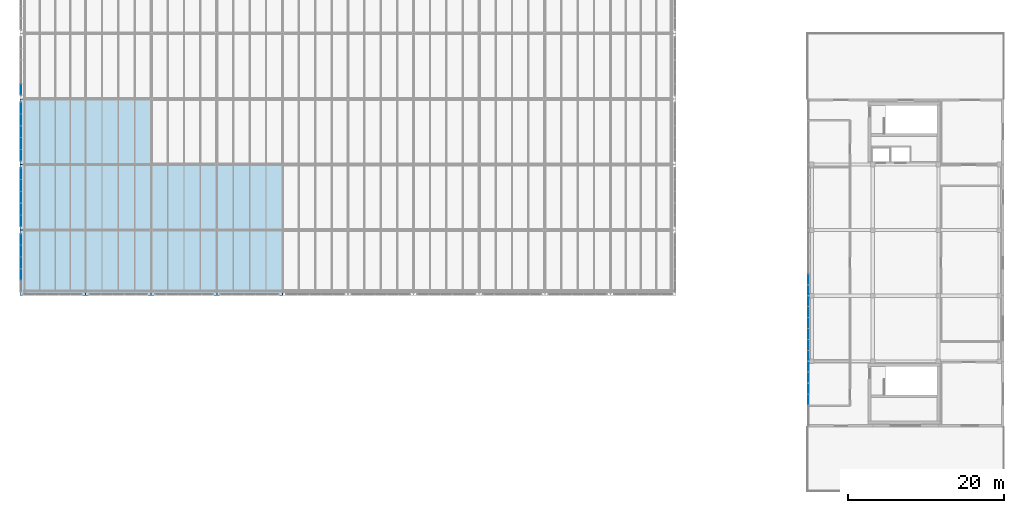
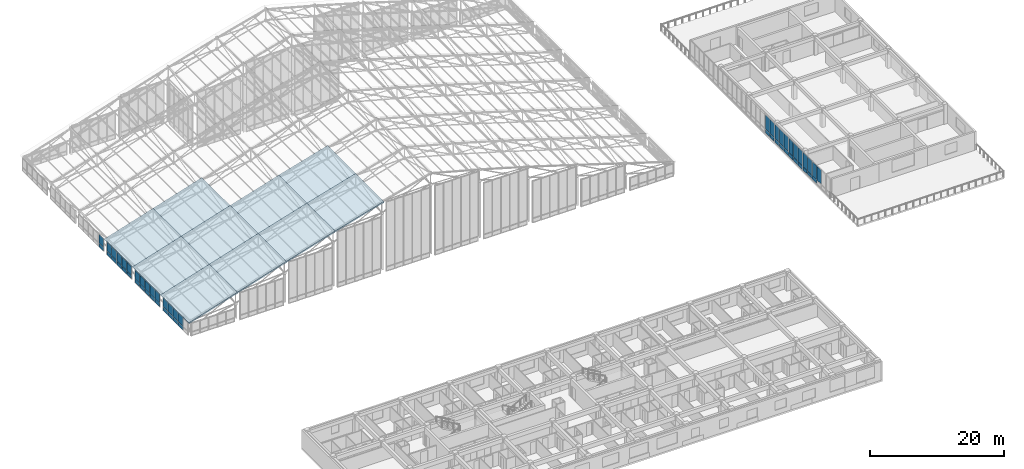
# One storey, part 107 of 144: 53 plates, 10 slabs, 7 elements without a shape of their own.
"""IFC4 building model written with IfcOpenShell, lengths in metres."""

from ifc_helpers import new_model, si_unit, direction, frame, origin, origin_2d, place, context, subcontext, project, spatial, polyline, rectangle, outline, extrude, material, layer, layer_set, type_object, element, aggregate, save


model = new_model("IFC4")

# Units and contexts
model_context = context("Model", 3, precision=1e-05, world=origin(), true_north=direction((0.0, 1.0)))
body_context = subcontext(model_context, "Body", "Model", "MODEL_VIEW")
ifc_project = project(units=[si_unit("LENGTHUNIT", "METRE"), si_unit("AREAUNIT", "SQUARE_METRE"), si_unit("VOLUMEUNIT", "CUBIC_METRE"), si_unit("PLANEANGLEUNIT", "RADIAN"), si_unit("MASSUNIT", "GRAM", prefix="KILO")], contexts=[model_context])

# Site, building, storey
site_placement = place(None, origin())
site = spatial("IfcSite", under=ifc_project, at=site_placement, CompositionType="ELEMENT")
building_placement = place(site_placement, origin())
building = spatial("IfcBuilding", under=site, at=building_placement, Name="Zayran Congress Hotel", CompositionType="ELEMENT")
storey_placement = place(building_placement, frame((0.0, 0.0, 19.199951171875)))
storey = spatial("IfcBuildingStorey", under=building, at=storey_placement, Name="L04", CompositionType="ELEMENT", Elevation=19.199951171875)

# Slabs
ifc_material_1 = material(Name="Concrete C32/40", Category="concrete")
ifc_layer_1 = layer(ifc_material_1, 0.219970703125)
ifc_layer_set_1 = layer_set([ifc_layer_1], Name="Concrete C32/40")
slab_type = type_object("IfcSlabType", Name="SL-RF-220", PredefinedType="ROOF", material=ifc_layer_set_1)
for number, where, z_axis, x_axis, name in (
    (1, (8.39990234375, 67.60009765625, 2.400146484375), (-0.300844824691, 0.0, 0.953673105134), (0.953673105134, 0.0, 0.300844824691), "V1 Vaulted Roof Facet 1-1"),
    (2, (8.39990234375, 76.0, 2.400146484375), (-0.300844824691, 0.0, 0.953673105134), (0.953673105134, 0.0, 0.300844824691), "V1 Vaulted Roof Facet 1-2"),
):
    element("IfcSlab", number, at=place(storey_placement, frame(where, z_axis=z_axis, x_axis=x_axis)), inside=storey, type_object=slab_type, Name=name, PredefinedType="ROOF", context=body_context, shape_type="SweptSolid", body=[
        extrude(outline(polyline([(0.0, 0.0), (8.808203187391252, 0.0), (8.808203187391252, 8.39990234375), (0.0, 8.39990234375), (0.0, 0.0)])), origin(), (0.0, 0.0, -1.0), 0.219970703125),
    ])
slab_1_placement = place(storey_placement, frame((8.39990234375, 84.39990234375, 2.400146484375), z_axis=(-0.300844824691, 0.0, 0.953673105134), x_axis=(0.953673105134, 0.0, 0.300844824691)))
element("IfcSlab", 3, at=slab_1_placement, inside=storey, type_object=slab_type, Name="V1 Vaulted Roof Facet 1-3", PredefinedType="ROOF", context=body_context, shape_type="SweptSolid", body=[
    extrude(outline(polyline([(0.0, 0.0), (8.808203187391252, 0.0), (8.808203187391252, 8.400146484375002), (0.0, 8.400146484375002), (0.0, 0.0)])), origin(), (0.0, 0.0, -1.0), 0.219970703125),
])
for number, where, z_axis, x_axis, name in (
    (4, (16.800048828125, 67.60009765625, 5.050048828125), (-0.300852777228, 0.0, 0.953670596398), (0.953670596398, 0.0, 0.300852777228), "V1 Vaulted Roof Facet 2-1"),
    (5, (16.800048828125, 76.0, 5.050048828125), (-0.300852777228, 0.0, 0.953670596398), (0.953670596398, 0.0, 0.300852777228), "V1 Vaulted Roof Facet 2-2"),
):
    element("IfcSlab", number, at=place(storey_placement, frame(where, z_axis=z_axis, x_axis=x_axis)), inside=storey, type_object=slab_type, Name=name, PredefinedType="ROOF", context=body_context, shape_type="SweptSolid", body=[
        extrude(outline(polyline([(0.0, 0.0), (8.807970357349557, 0.0), (8.807970357349557, 8.39990234375), (0.0, 8.39990234375), (0.0, 0.0)])), origin(), (0.0, 0.0, -1.0), 0.219970703125),
    ])
slab_2_placement = place(storey_placement, frame((16.800048828125, 84.39990234375, 5.050048828125), z_axis=(-0.300852777228, 0.0, 0.953670596398), x_axis=(0.953670596398, 0.0, 0.300852777228)))
element("IfcSlab", 6, at=slab_2_placement, inside=storey, type_object=slab_type, Name="V1 Vaulted Roof Facet 2-3", PredefinedType="ROOF", context=body_context, shape_type="SweptSolid", body=[
    extrude(outline(polyline([(0.0, 0.0), (8.807970357349557, 0.0), (8.807970357349557, 8.400146484375), (0.0, 8.400146484375), (0.0, 0.0)])), origin(), (0.0, 0.0, -1.0), 0.219970703125),
])
for number, where, z_axis, x_axis, name in (
    (7, (25.199951171875, 67.60009765625, 7.699951171875), (-0.29568915739, 0.0, 0.955284210171), (0.955284210171, 0.0, 0.29568915739), "V1 Vaulted Roof Facet 3-1"),
    (8, (25.199951171875, 76.0, 7.699951171875), (-0.29568915739, 0.0, 0.955284210171), (0.955284210171, 0.0, 0.29568915739), "V1 Vaulted Roof Facet 3-2"),
):
    element("IfcSlab", number, at=place(storey_placement, frame(where, z_axis=z_axis, x_axis=x_axis)), inside=storey, type_object=slab_type, Name=name, PredefinedType="ROOF", context=body_context, shape_type="SweptSolid", body=[
        extrude(outline(polyline([(0.0, 0.0), (8.793347984754979, 0.0), (8.793347984754979, 8.39990234375), (0.0, 8.39990234375), (0.0, 0.0)])), origin(), (0.0, 0.0, -1.0), 0.219970703125),
    ])
for number, where, z_axis, x_axis, name in (
    (9, (33.60009765625, 67.60009765625, 10.300048828125), (-0.279997857116, 0.0, 0.960000625005), (0.960000625005, 0.0, 0.279997857116), "V1 Vaulted Roof Facet 4-1"),
    (10, (33.60009765625, 76.0, 10.300048828125), (-0.279997857116, 0.0, 0.960000625005), (0.960000625005, 0.0, 0.279997857116), "V1 Vaulted Roof Facet 4-2"),
):
    element("IfcSlab", number, at=place(storey_placement, frame(where, z_axis=z_axis, x_axis=x_axis)), inside=storey, type_object=slab_type, Name=name, PredefinedType="ROOF", context=body_context, shape_type="SweptSolid", body=[
        extrude(outline(polyline([(0.0, 0.0), (8.749892578146799, 0.0), (8.749892578146799, 8.399902343750002), (0.0, 8.399902343750002), (0.0, 0.0)])), origin(), (0.0, 0.0, -1.0), 0.219970703125),
    ])

# Curtain wall, plates
ifc_material_2 = material(Name="Anodised aluminium and low-E insulated glass", Category="aluminium")
ifc_layer_2 = layer(ifc_material_2, 0.179931640625)
ifc_layer_set_2 = layer_set([ifc_layer_2], Name="Anodised aluminium and low-E insulated glass")
curtain_wall_type_1 = type_object("IfcCurtainWallType", Name="CW-V4W-L04-CW-51-8395-3360", PredefinedType="USERDEFINED", material=ifc_layer_set_2)
curtain_wall_1_placement = place(storey_placement, origin())
curtain_wall_1 = element("IfcCurtainWall", 11, at=curtain_wall_1_placement, inside=storey, type_object=curtain_wall_type_1, Name="CW-V4W-L04-0", ObjectType="CURTAIN WALL", PredefinedType="USERDEFINED")
ifc_layer_3 = layer(ifc_material_2, 0.028076171875)
ifc_layer_set_3 = layer_set([ifc_layer_3], Name="Anodised aluminium and low-E insulated glass")
plate_type_1 = type_object("IfcPlateType", Name="CWP-GL-1279-2550", PredefinedType="CURTAIN_PANEL", material=ifc_layer_set_3)
plate_1_placement = place(storey_placement, frame((109.35009765625, 58.475341796875, 0.75), z_axis=(0.0, 0.0, 1.0), x_axis=(0.0, 1.0, 0.0)))
plate_1 = element("IfcPlate", 12, at=plate_1_placement, type_object=plate_type_1, Name="CW-51 Glazed Panel 1", PredefinedType="CURTAIN_PANEL", context=body_context, shape_type="SweptSolid", body=[
    extrude(rectangle(XDim=1.279296875, YDim=0.028076171875, at=origin_2d()), origin(), (0.0, 0.0, 1.0), 2.550048828125),
])
plate_2_placement = place(storey_placement, frame((109.35009765625, 57.09619140625, 0.75), z_axis=(0.0, 0.0, 1.0), x_axis=(0.0, 1.0, 0.0)))
plate_2 = element("IfcPlate", 13, at=plate_2_placement, type_object=plate_type_1, Name="CW-51 Glazed Panel 2", PredefinedType="CURTAIN_PANEL", context=body_context, shape_type="SweptSolid", body=[
    extrude(rectangle(XDim=1.319091796875, YDim=0.028076171875, at=origin_2d()), origin(), (0.0, 0.0, 1.0), 2.550048828125),
])
plate_3_placement = place(storey_placement, frame((109.35009765625, 55.697021484375, 0.75), z_axis=(0.0, 0.0, 1.0), x_axis=(0.0, 1.0, 0.0)))
plate_3 = element("IfcPlate", 14, at=plate_3_placement, type_object=plate_type_1, Name="CW-51 Glazed Panel 3", PredefinedType="CURTAIN_PANEL", context=body_context, shape_type="SweptSolid", body=[
    extrude(rectangle(XDim=1.319091796875, YDim=0.028076171875, at=origin_2d()), origin(), (0.0, 0.0, 1.0), 2.550048828125),
])
plate_4_placement = place(storey_placement, frame((109.35009765625, 54.2978515625, 0.75), z_axis=(0.0, 0.0, 1.0), x_axis=(0.0, 1.0, 0.0)))
plate_4 = element("IfcPlate", 15, at=plate_4_placement, type_object=plate_type_1, Name="CW-51 Glazed Panel 4", PredefinedType="CURTAIN_PANEL", context=body_context, shape_type="SweptSolid", body=[
    extrude(rectangle(XDim=1.319091796875, YDim=0.028076171875, at=origin_2d()), origin(), (0.0, 0.0, 1.0), 2.550048828125),
])
ifc_material_3 = material(Name="Insulated warm bronze aluminium spandrel panel", Category="aluminium")
ifc_layer_4 = layer(ifc_material_3, 0.06005859375)
ifc_layer_set_4 = layer_set([ifc_layer_4], Name="Insulated warm bronze aluminium spandrel panel")
plate_type_2 = type_object("IfcPlateType", Name="CWP-SP-1279-630", PredefinedType="CURTAIN_PANEL", material=ifc_layer_set_4)
plate_5_placement = place(storey_placement, frame((109.35009765625, 58.475341796875, 0.06005859375), z_axis=(0.0, 0.0, 1.0), x_axis=(0.0, 1.0, 0.0)))
plate_5 = element("IfcPlate", 16, at=plate_5_placement, type_object=plate_type_2, Name="CW-51 Spandrel Panel 1", PredefinedType="CURTAIN_PANEL", context=body_context, shape_type="SweptSolid", body=[
    extrude(rectangle(XDim=1.279296875, YDim=0.06005859375, at=origin_2d()), origin(), (0.0, 0.0, 1.0), 0.6298828125),
])
plate_6_placement = place(storey_placement, frame((109.35009765625, 57.09619140625, 0.06005859375), z_axis=(0.0, 0.0, 1.0), x_axis=(0.0, 1.0, 0.0)))
plate_6 = element("IfcPlate", 17, at=plate_6_placement, type_object=plate_type_2, Name="CW-51 Spandrel Panel 2", PredefinedType="CURTAIN_PANEL", context=body_context, shape_type="SweptSolid", body=[
    extrude(rectangle(XDim=1.319091796875, YDim=0.06005859375, at=origin_2d()), origin(), (0.0, 0.0, 1.0), 0.6298828125),
])
plate_7_placement = place(storey_placement, frame((109.35009765625, 55.697021484375, 0.06005859375), z_axis=(0.0, 0.0, 1.0), x_axis=(0.0, 1.0, 0.0)))
plate_7 = element("IfcPlate", 18, at=plate_7_placement, type_object=plate_type_2, Name="CW-51 Spandrel Panel 3", PredefinedType="CURTAIN_PANEL", context=body_context, shape_type="SweptSolid", body=[
    extrude(rectangle(XDim=1.319091796875, YDim=0.06005859375, at=origin_2d()), origin(), (0.0, 0.0, 1.0), 0.6298828125),
])
aggregate(curtain_wall_1, [plate_5, plate_1, plate_6, plate_2, plate_7, plate_3, plate_4])

ifc_layer_5 = layer(ifc_material_2, 0.179931640625)
ifc_layer_set_5 = layer_set([ifc_layer_5], Name="Anodised aluminium and low-E insulated glass")
curtain_wall_type_2 = type_object("IfcCurtainWallType", Name="CW-V4W-L04-CW-52-8390-3360", PredefinedType="USERDEFINED", material=ifc_layer_set_5)
curtain_wall_2_placement = place(storey_placement, origin())
curtain_wall_2 = element("IfcCurtainWall", 19, at=curtain_wall_2_placement, inside=storey, type_object=curtain_wall_type_2, Name="CW-V4W-L04-1", ObjectType="CURTAIN WALL", PredefinedType="USERDEFINED")
ifc_layer_6 = layer(ifc_material_2, 0.028076171875)
ifc_layer_set_6 = layer_set([ifc_layer_6], Name="Anodised aluminium and low-E insulated glass")
plate_type_3 = type_object("IfcPlateType", Name="CWP-GL-1278-2550", PredefinedType="CURTAIN_PANEL", material=ifc_layer_set_6)
plate_8_placement = place(storey_placement, frame((109.35009765625, 66.875732421875, 0.75), z_axis=(0.0, 0.0, 1.0), x_axis=(0.0, 1.0, 0.0)))
plate_8 = element("IfcPlate", 20, at=plate_8_placement, type_object=plate_type_3, Name="CW-52 Glazed Panel 1", PredefinedType="CURTAIN_PANEL", context=body_context, shape_type="SweptSolid", body=[
    extrude(rectangle(XDim=1.2783203125, YDim=0.028076171875, at=origin_2d()), origin(), (0.0, 0.0, 1.0), 2.550048828125),
])
plate_9_placement = place(storey_placement, frame((109.35009765625, 65.49755859375, 0.75), z_axis=(0.0, 0.0, 1.0), x_axis=(0.0, 1.0, 0.0)))
plate_9 = element("IfcPlate", 21, at=plate_9_placement, type_object=plate_type_3, Name="CW-52 Glazed Panel 2", PredefinedType="CURTAIN_PANEL", context=body_context, shape_type="SweptSolid", body=[
    extrude(rectangle(XDim=1.318359375, YDim=0.028076171875, at=origin_2d()), origin(), (0.0, 0.0, 1.0), 2.550048828125),
])
plate_10_placement = place(storey_placement, frame((109.35009765625, 64.09912109375, 0.75), z_axis=(0.0, 0.0, 1.0), x_axis=(0.0, 1.0, 0.0)))
plate_10 = element("IfcPlate", 22, at=plate_10_placement, type_object=plate_type_3, Name="CW-52 Glazed Panel 3", PredefinedType="CURTAIN_PANEL", context=body_context, shape_type="SweptSolid", body=[
    extrude(rectangle(XDim=1.318359375, YDim=0.028076171875, at=origin_2d()), origin(), (0.0, 0.0, 1.0), 2.550048828125),
])
plate_11_placement = place(storey_placement, frame((109.35009765625, 62.70068359375, 0.75), z_axis=(0.0, 0.0, 1.0), x_axis=(0.0, 1.0, 0.0)))
plate_11 = element("IfcPlate", 23, at=plate_11_placement, type_object=plate_type_3, Name="CW-52 Glazed Panel 4", PredefinedType="CURTAIN_PANEL", context=body_context, shape_type="SweptSolid", body=[
    extrude(rectangle(XDim=1.318359375, YDim=0.028076171875, at=origin_2d()), origin(), (0.0, 0.0, 1.0), 2.550048828125),
])
plate_12_placement = place(storey_placement, frame((109.35009765625, 61.302490234375, 0.75), z_axis=(0.0, 0.0, 1.0), x_axis=(0.0, 1.0, 0.0)))
plate_12 = element("IfcPlate", 24, at=plate_12_placement, type_object=plate_type_3, Name="CW-52 Glazed Panel 5", PredefinedType="CURTAIN_PANEL", context=body_context, shape_type="SweptSolid", body=[
    extrude(rectangle(XDim=1.318359375, YDim=0.028076171875, at=origin_2d()), origin(), (0.0, 0.0, 1.0), 2.550048828125),
])
plate_13_placement = place(storey_placement, frame((109.35009765625, 59.92431640625, 0.75), z_axis=(0.0, 0.0, 1.0), x_axis=(0.0, 1.0, 0.0)))
plate_13 = element("IfcPlate", 25, at=plate_13_placement, type_object=plate_type_3, Name="CW-52 Glazed Panel 6", PredefinedType="CURTAIN_PANEL", context=body_context, shape_type="SweptSolid", body=[
    extrude(rectangle(XDim=1.2783203125, YDim=0.028076171875, at=origin_2d()), origin(), (0.0, 0.0, 1.0), 2.550048828125),
])

ifc_layer_7 = layer(ifc_material_2, 0.179931640625)
ifc_layer_set_7 = layer_set([ifc_layer_7], Name="Anodised aluminium and low-E insulated glass")
curtain_wall_type_3 = type_object("IfcCurtainWallType", Name="CW-V4W-L04-CW-53-8390-3360", PredefinedType="USERDEFINED", material=ifc_layer_set_7)
curtain_wall_3_placement = place(storey_placement, origin())
curtain_wall_3 = element("IfcCurtainWall", 26, at=curtain_wall_3_placement, inside=storey, type_object=curtain_wall_type_3, Name="CW-V4W-L04-2", ObjectType="CURTAIN WALL", PredefinedType="USERDEFINED")
plate_14_placement = place(storey_placement, frame((109.35009765625, 69.702392578125, 0.75), z_axis=(0.0, 0.0, 1.0), x_axis=(0.0, 1.0, 0.0)))
plate_14 = element("IfcPlate", 27, at=plate_14_placement, type_object=plate_type_3, Name="CW-53 Glazed Panel 5", PredefinedType="CURTAIN_PANEL", context=body_context, shape_type="SweptSolid", body=[
    extrude(rectangle(XDim=1.318359375, YDim=0.028076171875, at=origin_2d()), origin(), (0.0, 0.0, 1.0), 2.550048828125),
])
plate_15_placement = place(storey_placement, frame((109.35009765625, 68.32421875, 0.75), z_axis=(0.0, 0.0, 1.0), x_axis=(0.0, 1.0, 0.0)))
plate_15 = element("IfcPlate", 28, at=plate_15_placement, type_object=plate_type_3, Name="CW-53 Glazed Panel 6", PredefinedType="CURTAIN_PANEL", context=body_context, shape_type="SweptSolid", body=[
    extrude(rectangle(XDim=1.2783203125, YDim=0.028076171875, at=origin_2d()), origin(), (0.0, 0.0, 1.0), 2.550048828125),
])

# Plate
ifc_layer_8 = layer(ifc_material_3, 0.06005859375)
ifc_layer_set_8 = layer_set([ifc_layer_8], Name="Insulated warm bronze aluminium spandrel panel")
plate_type_4 = type_object("IfcPlateType", Name="CWP-SP-1278-630", PredefinedType="CURTAIN_PANEL", material=ifc_layer_set_8)
plate_16_placement = place(storey_placement, frame((109.35009765625, 66.875732421875, 0.06005859375), z_axis=(0.0, 0.0, 1.0), x_axis=(0.0, 1.0, 0.0)))
plate_16 = element("IfcPlate", 29, at=plate_16_placement, type_object=plate_type_4, Name="CW-52 Spandrel Panel 1", PredefinedType="CURTAIN_PANEL", context=body_context, shape_type="SweptSolid", body=[
    extrude(rectangle(XDim=1.2783203125, YDim=0.06005859375, at=origin_2d()), origin(), (0.0, 0.0, 1.0), 0.6298828125),
])

plate_17_placement = place(storey_placement, frame((109.35009765625, 65.49755859375, 0.06005859375), z_axis=(0.0, 0.0, 1.0), x_axis=(0.0, 1.0, 0.0)))
plate_17 = element("IfcPlate", 30, at=plate_17_placement, type_object=plate_type_4, Name="CW-52 Spandrel Panel 2", PredefinedType="CURTAIN_PANEL", context=body_context, shape_type="SweptSolid", body=[
    extrude(rectangle(XDim=1.318359375, YDim=0.06005859375, at=origin_2d()), origin(), (0.0, 0.0, 1.0), 0.6298828125),
])

plate_18_placement = place(storey_placement, frame((109.35009765625, 64.09912109375, 0.06005859375), z_axis=(0.0, 0.0, 1.0), x_axis=(0.0, 1.0, 0.0)))
plate_18 = element("IfcPlate", 31, at=plate_18_placement, type_object=plate_type_4, Name="CW-52 Spandrel Panel 3", PredefinedType="CURTAIN_PANEL", context=body_context, shape_type="SweptSolid", body=[
    extrude(rectangle(XDim=1.318359375, YDim=0.06005859375, at=origin_2d()), origin(), (0.0, 0.0, 1.0), 0.6298828125),
])

plate_19_placement = place(storey_placement, frame((109.35009765625, 62.70068359375, 0.06005859375), z_axis=(0.0, 0.0, 1.0), x_axis=(0.0, 1.0, 0.0)))
plate_19 = element("IfcPlate", 32, at=plate_19_placement, type_object=plate_type_4, Name="CW-52 Spandrel Panel 4", PredefinedType="CURTAIN_PANEL", context=body_context, shape_type="SweptSolid", body=[
    extrude(rectangle(XDim=1.318359375, YDim=0.06005859375, at=origin_2d()), origin(), (0.0, 0.0, 1.0), 0.6298828125),
])

plate_20_placement = place(storey_placement, frame((109.35009765625, 61.302490234375, 0.06005859375), z_axis=(0.0, 0.0, 1.0), x_axis=(0.0, 1.0, 0.0)))
plate_20 = element("IfcPlate", 33, at=plate_20_placement, type_object=plate_type_4, Name="CW-52 Spandrel Panel 5", PredefinedType="CURTAIN_PANEL", context=body_context, shape_type="SweptSolid", body=[
    extrude(rectangle(XDim=1.318359375, YDim=0.06005859375, at=origin_2d()), origin(), (0.0, 0.0, 1.0), 0.6298828125),
])

plate_21_placement = place(storey_placement, frame((109.35009765625, 59.92431640625, 0.06005859375), z_axis=(0.0, 0.0, 1.0), x_axis=(0.0, 1.0, 0.0)))
plate_21 = element("IfcPlate", 34, at=plate_21_placement, type_object=plate_type_4, Name="CW-52 Spandrel Panel 6", PredefinedType="CURTAIN_PANEL", context=body_context, shape_type="SweptSolid", body=[
    extrude(rectangle(XDim=1.2783203125, YDim=0.06005859375, at=origin_2d()), origin(), (0.0, 0.0, 1.0), 0.6298828125),
])

aggregate(curtain_wall_2, [plate_16, plate_8, plate_17, plate_9, plate_18, plate_10, plate_19, plate_11, plate_20, plate_12, plate_21, plate_13])

plate_22_placement = place(storey_placement, frame((109.35009765625, 69.702392578125, 0.06005859375), z_axis=(0.0, 0.0, 1.0), x_axis=(0.0, 1.0, 0.0)))
plate_22 = element("IfcPlate", 35, at=plate_22_placement, type_object=plate_type_4, Name="CW-53 Spandrel Panel 5", PredefinedType="CURTAIN_PANEL", context=body_context, shape_type="SweptSolid", body=[
    extrude(rectangle(XDim=1.318359375, YDim=0.06005859375, at=origin_2d()), origin(), (0.0, 0.0, 1.0), 0.6298828125),
])

plate_23_placement = place(storey_placement, frame((109.35009765625, 68.32421875, 0.06005859375), z_axis=(0.0, 0.0, 1.0), x_axis=(0.0, 1.0, 0.0)))
plate_23 = element("IfcPlate", 36, at=plate_23_placement, type_object=plate_type_4, Name="CW-53 Spandrel Panel 6", PredefinedType="CURTAIN_PANEL", context=body_context, shape_type="SweptSolid", body=[
    extrude(rectangle(XDim=1.2783203125, YDim=0.06005859375, at=origin_2d()), origin(), (0.0, 0.0, 1.0), 0.6298828125),
])

aggregate(curtain_wall_3, [plate_22, plate_14, plate_23, plate_15])

# Curtain wall, plates
ifc_layer_9 = layer(ifc_material_2, 0.179931640625)
ifc_layer_set_9 = layer_set([ifc_layer_9], Name="Anodised aluminium and low-E insulated glass")
curtain_wall_type_4 = type_object("IfcCurtainWallType", Name="CW-V1CL-L04-CW-31-7560-2370", PredefinedType="USERDEFINED", material=ifc_layer_set_9)
curtain_wall_4_placement = place(storey_placement, origin())
curtain_wall_4 = element("IfcCurtainWall", 37, at=curtain_wall_4_placement, inside=storey, type_object=curtain_wall_type_4, Name="CW-V1CLW-0", ObjectType="CURTAIN WALL", PredefinedType="USERDEFINED")
ifc_layer_10 = layer(ifc_material_3, 0.06005859375)
ifc_layer_set_10 = layer_set([ifc_layer_10], Name="Insulated warm bronze aluminium spandrel panel")
plate_type_5 = type_object("IfcPlateType", Name="CWP-SP-1392-630", PredefinedType="CURTAIN_PANEL", material=ifc_layer_set_10)
plate_24_placement = place(storey_placement, frame((8.550048828125, 74.803955078125, -0.159912109375), z_axis=(0.0, 0.0, 1.0), x_axis=(0.0, 1.0, 0.0)))
plate_24 = element("IfcPlate", 38, at=plate_24_placement, type_object=plate_type_5, Name="CW-31 Spandrel Panel 1", PredefinedType="CURTAIN_PANEL", context=body_context, shape_type="SweptSolid", body=[
    extrude(rectangle(XDim=1.39208984375, YDim=0.06005859375, at=origin_2d()), origin(), (0.0, 0.0, 1.0), 0.6298828125),
])
plate_25_placement = place(storey_placement, frame((8.550048828125, 73.31201171875, -0.159912109375), z_axis=(0.0, 0.0, 1.0), x_axis=(0.0, 1.0, 0.0)))
plate_25 = element("IfcPlate", 39, at=plate_25_placement, type_object=plate_type_5, Name="CW-31 Spandrel Panel 2", PredefinedType="CURTAIN_PANEL", context=body_context, shape_type="SweptSolid", body=[
    extrude(rectangle(XDim=1.431884765625, YDim=0.06005859375, at=origin_2d()), origin(), (0.0, 0.0, 1.0), 0.6298828125),
])
plate_26_placement = place(storey_placement, frame((8.550048828125, 71.800048828125, -0.159912109375), z_axis=(0.0, 0.0, 1.0), x_axis=(0.0, 1.0, 0.0)))
plate_26 = element("IfcPlate", 40, at=plate_26_placement, type_object=plate_type_5, Name="CW-31 Spandrel Panel 3", PredefinedType="CURTAIN_PANEL", context=body_context, shape_type="SweptSolid", body=[
    extrude(rectangle(XDim=1.431884765625, YDim=0.06005859375, at=origin_2d()), origin(), (0.0, 0.0, 1.0), 0.6298828125),
])
plate_27_placement = place(storey_placement, frame((8.550048828125, 70.2880859375, -0.159912109375), z_axis=(0.0, 0.0, 1.0), x_axis=(0.0, 1.0, 0.0)))
plate_27 = element("IfcPlate", 41, at=plate_27_placement, type_object=plate_type_5, Name="CW-31 Spandrel Panel 4", PredefinedType="CURTAIN_PANEL", context=body_context, shape_type="SweptSolid", body=[
    extrude(rectangle(XDim=1.431884765625, YDim=0.06005859375, at=origin_2d()), origin(), (0.0, 0.0, 1.0), 0.6298828125),
])

curtain_wall_5_placement = place(storey_placement, origin())
curtain_wall_5 = element("IfcCurtainWall", 42, at=curtain_wall_5_placement, inside=storey, type_object=curtain_wall_type_4, Name="CW-V1CLW-1", ObjectType="CURTAIN WALL", PredefinedType="USERDEFINED")
plate_28_placement = place(storey_placement, frame((8.550048828125, 83.2041015625, -0.159912109375), z_axis=(0.0, 0.0, 1.0), x_axis=(0.0, 1.0, 0.0)))
plate_28 = element("IfcPlate", 43, at=plate_28_placement, type_object=plate_type_5, Name="CW-31 Spandrel Panel 1", PredefinedType="CURTAIN_PANEL", context=body_context, shape_type="SweptSolid", body=[
    extrude(rectangle(XDim=1.39208984375, YDim=0.06005859375, at=origin_2d()), origin(), (0.0, 0.0, 1.0), 0.6298828125),
])
plate_29_placement = place(storey_placement, frame((8.550048828125, 81.7119140625, -0.159912109375), z_axis=(0.0, 0.0, 1.0), x_axis=(0.0, 1.0, 0.0)))
plate_29 = element("IfcPlate", 44, at=plate_29_placement, type_object=plate_type_5, Name="CW-31 Spandrel Panel 2", PredefinedType="CURTAIN_PANEL", context=body_context, shape_type="SweptSolid", body=[
    extrude(rectangle(XDim=1.431884765625, YDim=0.06005859375, at=origin_2d()), origin(), (0.0, 0.0, 1.0), 0.6298828125),
])
plate_30_placement = place(storey_placement, frame((8.550048828125, 80.199951171875, -0.159912109375), z_axis=(0.0, 0.0, 1.0), x_axis=(0.0, 1.0, 0.0)))
plate_30 = element("IfcPlate", 45, at=plate_30_placement, type_object=plate_type_5, Name="CW-31 Spandrel Panel 3", PredefinedType="CURTAIN_PANEL", context=body_context, shape_type="SweptSolid", body=[
    extrude(rectangle(XDim=1.431884765625, YDim=0.06005859375, at=origin_2d()), origin(), (0.0, 0.0, 1.0), 0.6298828125),
])
plate_31_placement = place(storey_placement, frame((8.550048828125, 78.68798828125, -0.159912109375), z_axis=(0.0, 0.0, 1.0), x_axis=(0.0, 1.0, 0.0)))
plate_31 = element("IfcPlate", 46, at=plate_31_placement, type_object=plate_type_5, Name="CW-31 Spandrel Panel 4", PredefinedType="CURTAIN_PANEL", context=body_context, shape_type="SweptSolid", body=[
    extrude(rectangle(XDim=1.431884765625, YDim=0.06005859375, at=origin_2d()), origin(), (0.0, 0.0, 1.0), 0.6298828125),
])
plate_32_placement = place(storey_placement, frame((8.550048828125, 77.196044921875, -0.159912109375), z_axis=(0.0, 0.0, 1.0), x_axis=(0.0, 1.0, 0.0)))
plate_32 = element("IfcPlate", 47, at=plate_32_placement, type_object=plate_type_5, Name="CW-31 Spandrel Panel 5", PredefinedType="CURTAIN_PANEL", context=body_context, shape_type="SweptSolid", body=[
    extrude(rectangle(XDim=1.39208984375, YDim=0.06005859375, at=origin_2d()), origin(), (0.0, 0.0, 1.0), 0.6298828125),
])

curtain_wall_6_placement = place(storey_placement, origin())
curtain_wall_6 = element("IfcCurtainWall", 48, at=curtain_wall_6_placement, inside=storey, type_object=curtain_wall_type_4, Name="CW-V1CLW-2", ObjectType="CURTAIN WALL", PredefinedType="USERDEFINED")
plate_33_placement = place(storey_placement, frame((8.550048828125, 91.60400390625, -0.159912109375), z_axis=(0.0, 0.0, 1.0), x_axis=(0.0, 1.0, 0.0)))
plate_33 = element("IfcPlate", 49, at=plate_33_placement, type_object=plate_type_5, Name="CW-31 Spandrel Panel 1", PredefinedType="CURTAIN_PANEL", context=body_context, shape_type="SweptSolid", body=[
    extrude(rectangle(XDim=1.39208984375, YDim=0.06005859375, at=origin_2d()), origin(), (0.0, 0.0, 1.0), 0.6298828125),
])
plate_34_placement = place(storey_placement, frame((8.550048828125, 90.112060546875, -0.159912109375), z_axis=(0.0, 0.0, 1.0), x_axis=(0.0, 1.0, 0.0)))
plate_34 = element("IfcPlate", 50, at=plate_34_placement, type_object=plate_type_5, Name="CW-31 Spandrel Panel 2", PredefinedType="CURTAIN_PANEL", context=body_context, shape_type="SweptSolid", body=[
    extrude(rectangle(XDim=1.431884765625, YDim=0.06005859375, at=origin_2d()), origin(), (0.0, 0.0, 1.0), 0.6298828125),
])
plate_35_placement = place(storey_placement, frame((8.550048828125, 88.60009765625, -0.159912109375), z_axis=(0.0, 0.0, 1.0), x_axis=(0.0, 1.0, 0.0)))
plate_35 = element("IfcPlate", 51, at=plate_35_placement, type_object=plate_type_5, Name="CW-31 Spandrel Panel 3", PredefinedType="CURTAIN_PANEL", context=body_context, shape_type="SweptSolid", body=[
    extrude(rectangle(XDim=1.431884765625, YDim=0.06005859375, at=origin_2d()), origin(), (0.0, 0.0, 1.0), 0.6298828125),
])
plate_36_placement = place(storey_placement, frame((8.550048828125, 87.087890625, -0.159912109375), z_axis=(0.0, 0.0, 1.0), x_axis=(0.0, 1.0, 0.0)))
plate_36 = element("IfcPlate", 52, at=plate_36_placement, type_object=plate_type_5, Name="CW-31 Spandrel Panel 4", PredefinedType="CURTAIN_PANEL", context=body_context, shape_type="SweptSolid", body=[
    extrude(rectangle(XDim=1.431884765625, YDim=0.06005859375, at=origin_2d()), origin(), (0.0, 0.0, 1.0), 0.6298828125),
])
plate_37_placement = place(storey_placement, frame((8.550048828125, 85.595947265625, -0.159912109375), z_axis=(0.0, 0.0, 1.0), x_axis=(0.0, 1.0, 0.0)))
plate_37 = element("IfcPlate", 53, at=plate_37_placement, type_object=plate_type_5, Name="CW-31 Spandrel Panel 5", PredefinedType="CURTAIN_PANEL", context=body_context, shape_type="SweptSolid", body=[
    extrude(rectangle(XDim=1.39208984375, YDim=0.06005859375, at=origin_2d()), origin(), (0.0, 0.0, 1.0), 0.6298828125),
])

# Curtain wall, plate
curtain_wall_7_placement = place(storey_placement, origin())
curtain_wall_7 = element("IfcCurtainWall", 54, at=curtain_wall_7_placement, inside=storey, type_object=curtain_wall_type_4, Name="CW-V1CLW-3", ObjectType="CURTAIN WALL", PredefinedType="USERDEFINED")
plate_38_placement = place(storey_placement, frame((8.550048828125, 93.99609375, -0.159912109375), z_axis=(0.0, 0.0, 1.0), x_axis=(0.0, 1.0, 0.0)))
plate_38 = element("IfcPlate", 55, at=plate_38_placement, type_object=plate_type_5, Name="CW-31 Spandrel Panel 5", PredefinedType="CURTAIN_PANEL", context=body_context, shape_type="SweptSolid", body=[
    extrude(rectangle(XDim=1.39208984375, YDim=0.06005859375, at=origin_2d()), origin(), (0.0, 0.0, 1.0), 0.6298828125),
])

# Plate
ifc_layer_11 = layer(ifc_material_3, 0.06005859375)
ifc_layer_set_11 = layer_set([ifc_layer_11], Name="Insulated warm bronze aluminium spandrel panel")
plate_type_6 = type_object("IfcPlateType", Name="CWP-SP-1392-1560", PredefinedType="CURTAIN_PANEL", material=ifc_layer_set_11)
plate_39_placement = place(storey_placement, frame((8.550048828125, 74.803955078125, 0.530029296875), z_axis=(0.0, 0.0, 1.0), x_axis=(0.0, 1.0, 0.0)))
plate_39 = element("IfcPlate", 56, at=plate_39_placement, type_object=plate_type_6, Name="CW-31 Upper Spandrel Panel 1", PredefinedType="CURTAIN_PANEL", context=body_context, shape_type="SweptSolid", body=[
    extrude(rectangle(XDim=1.39208984375, YDim=0.06005859375, at=origin_2d()), origin(), (0.0, 0.0, 1.0), 1.56005859375),
])

plate_40_placement = place(storey_placement, frame((8.550048828125, 73.31201171875, 0.530029296875), z_axis=(0.0, 0.0, 1.0), x_axis=(0.0, 1.0, 0.0)))
plate_40 = element("IfcPlate", 57, at=plate_40_placement, type_object=plate_type_6, Name="CW-31 Upper Spandrel Panel 2", PredefinedType="CURTAIN_PANEL", context=body_context, shape_type="SweptSolid", body=[
    extrude(rectangle(XDim=1.431884765625, YDim=0.06005859375, at=origin_2d()), origin(), (0.0, 0.0, 1.0), 1.56005859375),
])

plate_41_placement = place(storey_placement, frame((8.550048828125, 71.800048828125, 0.530029296875), z_axis=(0.0, 0.0, 1.0), x_axis=(0.0, 1.0, 0.0)))
plate_41 = element("IfcPlate", 58, at=plate_41_placement, type_object=plate_type_6, Name="CW-31 Upper Spandrel Panel 3", PredefinedType="CURTAIN_PANEL", context=body_context, shape_type="SweptSolid", body=[
    extrude(rectangle(XDim=1.431884765625, YDim=0.06005859375, at=origin_2d()), origin(), (0.0, 0.0, 1.0), 1.56005859375),
])

plate_42_placement = place(storey_placement, frame((8.550048828125, 70.2880859375, 0.530029296875), z_axis=(0.0, 0.0, 1.0), x_axis=(0.0, 1.0, 0.0)))
plate_42 = element("IfcPlate", 59, at=plate_42_placement, type_object=plate_type_6, Name="CW-31 Upper Spandrel Panel 4", PredefinedType="CURTAIN_PANEL", context=body_context, shape_type="SweptSolid", body=[
    extrude(rectangle(XDim=1.431884765625, YDim=0.06005859375, at=origin_2d()), origin(), (0.0, 0.0, 1.0), 1.56005859375),
])

aggregate(curtain_wall_4, [plate_24, plate_39, plate_25, plate_40, plate_26, plate_41, plate_27, plate_42])

plate_43_placement = place(storey_placement, frame((8.550048828125, 83.2041015625, 0.530029296875), z_axis=(0.0, 0.0, 1.0), x_axis=(0.0, 1.0, 0.0)))
plate_43 = element("IfcPlate", 60, at=plate_43_placement, type_object=plate_type_6, Name="CW-31 Upper Spandrel Panel 1", PredefinedType="CURTAIN_PANEL", context=body_context, shape_type="SweptSolid", body=[
    extrude(rectangle(XDim=1.39208984375, YDim=0.06005859375, at=origin_2d()), origin(), (0.0, 0.0, 1.0), 1.56005859375),
])

plate_44_placement = place(storey_placement, frame((8.550048828125, 81.7119140625, 0.530029296875), z_axis=(0.0, 0.0, 1.0), x_axis=(0.0, 1.0, 0.0)))
plate_44 = element("IfcPlate", 61, at=plate_44_placement, type_object=plate_type_6, Name="CW-31 Upper Spandrel Panel 2", PredefinedType="CURTAIN_PANEL", context=body_context, shape_type="SweptSolid", body=[
    extrude(rectangle(XDim=1.431884765625, YDim=0.06005859375, at=origin_2d()), origin(), (0.0, 0.0, 1.0), 1.56005859375),
])

plate_45_placement = place(storey_placement, frame((8.550048828125, 80.199951171875, 0.530029296875), z_axis=(0.0, 0.0, 1.0), x_axis=(0.0, 1.0, 0.0)))
plate_45 = element("IfcPlate", 62, at=plate_45_placement, type_object=plate_type_6, Name="CW-31 Upper Spandrel Panel 3", PredefinedType="CURTAIN_PANEL", context=body_context, shape_type="SweptSolid", body=[
    extrude(rectangle(XDim=1.431884765625, YDim=0.06005859375, at=origin_2d()), origin(), (0.0, 0.0, 1.0), 1.56005859375),
])

plate_46_placement = place(storey_placement, frame((8.550048828125, 78.68798828125, 0.530029296875), z_axis=(0.0, 0.0, 1.0), x_axis=(0.0, 1.0, 0.0)))
plate_46 = element("IfcPlate", 63, at=plate_46_placement, type_object=plate_type_6, Name="CW-31 Upper Spandrel Panel 4", PredefinedType="CURTAIN_PANEL", context=body_context, shape_type="SweptSolid", body=[
    extrude(rectangle(XDim=1.431884765625, YDim=0.06005859375, at=origin_2d()), origin(), (0.0, 0.0, 1.0), 1.56005859375),
])

plate_47_placement = place(storey_placement, frame((8.550048828125, 77.196044921875, 0.530029296875), z_axis=(0.0, 0.0, 1.0), x_axis=(0.0, 1.0, 0.0)))
plate_47 = element("IfcPlate", 64, at=plate_47_placement, type_object=plate_type_6, Name="CW-31 Upper Spandrel Panel 5", PredefinedType="CURTAIN_PANEL", context=body_context, shape_type="SweptSolid", body=[
    extrude(rectangle(XDim=1.39208984375, YDim=0.06005859375, at=origin_2d()), origin(), (0.0, 0.0, 1.0), 1.56005859375),
])

aggregate(curtain_wall_5, [plate_28, plate_43, plate_29, plate_44, plate_30, plate_45, plate_31, plate_46, plate_32, plate_47])

plate_48_placement = place(storey_placement, frame((8.550048828125, 91.60400390625, 0.530029296875), z_axis=(0.0, 0.0, 1.0), x_axis=(0.0, 1.0, 0.0)))
plate_48 = element("IfcPlate", 65, at=plate_48_placement, type_object=plate_type_6, Name="CW-31 Upper Spandrel Panel 1", PredefinedType="CURTAIN_PANEL", context=body_context, shape_type="SweptSolid", body=[
    extrude(rectangle(XDim=1.39208984375, YDim=0.06005859375, at=origin_2d()), origin(), (0.0, 0.0, 1.0), 1.56005859375),
])

plate_49_placement = place(storey_placement, frame((8.550048828125, 90.112060546875, 0.530029296875), z_axis=(0.0, 0.0, 1.0), x_axis=(0.0, 1.0, 0.0)))
plate_49 = element("IfcPlate", 66, at=plate_49_placement, type_object=plate_type_6, Name="CW-31 Upper Spandrel Panel 2", PredefinedType="CURTAIN_PANEL", context=body_context, shape_type="SweptSolid", body=[
    extrude(rectangle(XDim=1.431884765625, YDim=0.06005859375, at=origin_2d()), origin(), (0.0, 0.0, 1.0), 1.56005859375),
])

plate_50_placement = place(storey_placement, frame((8.550048828125, 88.60009765625, 0.530029296875), z_axis=(0.0, 0.0, 1.0), x_axis=(0.0, 1.0, 0.0)))
plate_50 = element("IfcPlate", 67, at=plate_50_placement, type_object=plate_type_6, Name="CW-31 Upper Spandrel Panel 3", PredefinedType="CURTAIN_PANEL", context=body_context, shape_type="SweptSolid", body=[
    extrude(rectangle(XDim=1.431884765625, YDim=0.06005859375, at=origin_2d()), origin(), (0.0, 0.0, 1.0), 1.56005859375),
])

plate_51_placement = place(storey_placement, frame((8.550048828125, 87.087890625, 0.530029296875), z_axis=(0.0, 0.0, 1.0), x_axis=(0.0, 1.0, 0.0)))
plate_51 = element("IfcPlate", 68, at=plate_51_placement, type_object=plate_type_6, Name="CW-31 Upper Spandrel Panel 4", PredefinedType="CURTAIN_PANEL", context=body_context, shape_type="SweptSolid", body=[
    extrude(rectangle(XDim=1.431884765625, YDim=0.06005859375, at=origin_2d()), origin(), (0.0, 0.0, 1.0), 1.56005859375),
])

plate_52_placement = place(storey_placement, frame((8.550048828125, 85.595947265625, 0.530029296875), z_axis=(0.0, 0.0, 1.0), x_axis=(0.0, 1.0, 0.0)))
plate_52 = element("IfcPlate", 69, at=plate_52_placement, type_object=plate_type_6, Name="CW-31 Upper Spandrel Panel 5", PredefinedType="CURTAIN_PANEL", context=body_context, shape_type="SweptSolid", body=[
    extrude(rectangle(XDim=1.39208984375, YDim=0.06005859375, at=origin_2d()), origin(), (0.0, 0.0, 1.0), 1.56005859375),
])

aggregate(curtain_wall_6, [plate_33, plate_48, plate_34, plate_49, plate_35, plate_50, plate_36, plate_51, plate_37, plate_52])

plate_53_placement = place(storey_placement, frame((8.550048828125, 93.99609375, 0.530029296875), z_axis=(0.0, 0.0, 1.0), x_axis=(0.0, 1.0, 0.0)))
plate_53 = element("IfcPlate", 70, at=plate_53_placement, type_object=plate_type_6, Name="CW-31 Upper Spandrel Panel 5", PredefinedType="CURTAIN_PANEL", context=body_context, shape_type="SweptSolid", body=[
    extrude(rectangle(XDim=1.39208984375, YDim=0.06005859375, at=origin_2d()), origin(), (0.0, 0.0, 1.0), 1.56005859375),
])

aggregate(curtain_wall_7, [plate_38, plate_53])

save(model, "model.ifc")
